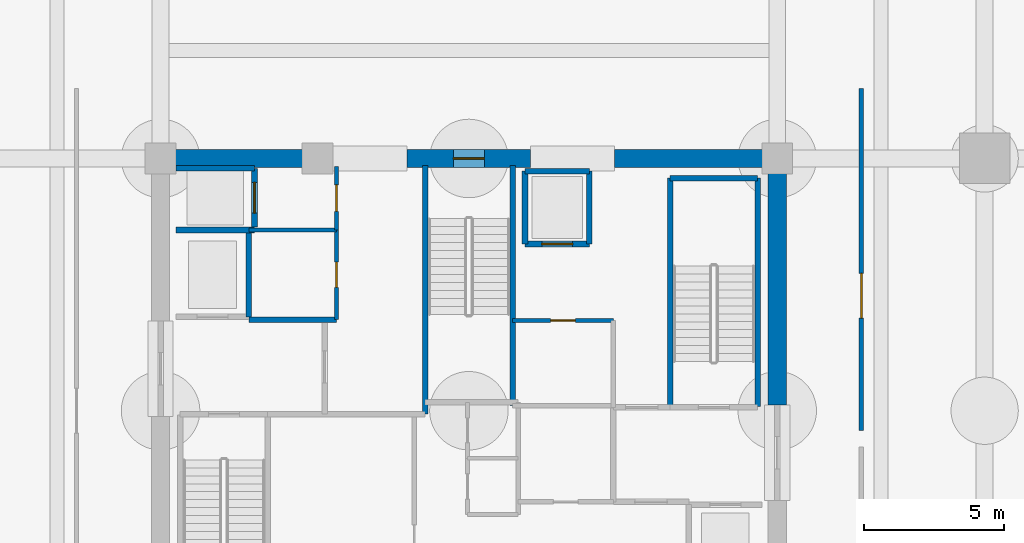
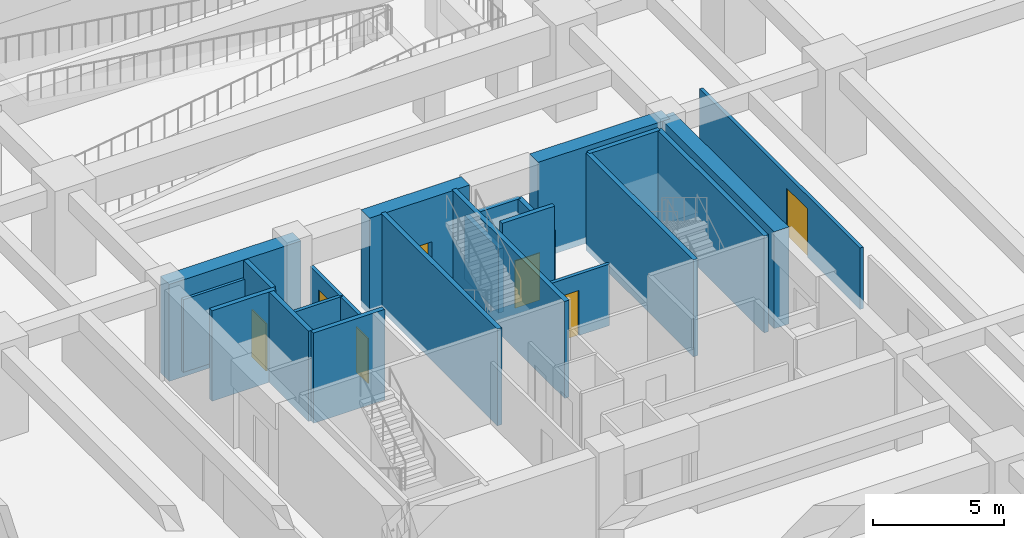
# One storey, part 10 of 17: 23 walls, 7 doors, 7 openings.
"""IFC4 building model written with IfcOpenShell, lengths in metres."""

from ifc_helpers import new_model, si_unit, direction, frame, frame_2d, origin, place, context, subcontext, project, spatial, rectangle, extrude, material, layer, layer_set, type_object, element, fill, save


model = new_model("IFC4")

# Units and contexts
model_context = context("Model", 3, precision=1e-05, world=origin(), true_north=direction((0.0, 1.0)))
body_context = subcontext(model_context, "Body", "Model", "MODEL_VIEW")
ifc_project = project(units=[si_unit("LENGTHUNIT", "METRE"), si_unit("AREAUNIT", "SQUARE_METRE"), si_unit("VOLUMEUNIT", "CUBIC_METRE"), si_unit("PLANEANGLEUNIT", "RADIAN"), si_unit("MASSUNIT", "GRAM", prefix="KILO")], contexts=[model_context])

# Site, building, storey
site_placement = place(None, origin())
site = spatial("IfcSite", under=ifc_project, at=site_placement, CompositionType="ELEMENT")
building_placement = place(site_placement, origin())
building = spatial("IfcBuilding", under=site, at=building_placement, Name="Kovane Verandah Tower", CompositionType="ELEMENT")
storey_placement = place(building_placement, frame((0.0, 0.0, -9.0)))
storey = spatial("IfcBuildingStorey", under=building, at=storey_placement, Name="B2", CompositionType="ELEMENT", Elevation=-9.0)

# Wall
ifc_material_1 = material(Name="Fire-Rated Gypsum Stud Partition", Category="gypsum")
ifc_layer_1 = layer(ifc_material_1, 0.14990234375)
ifc_layer_set_1 = layer_set([ifc_layer_1], Name="Fire-Rated Gypsum Stud Partition")
wall_type_1 = type_object("IfcWallType", Name="WL-COR-150", PredefinedType="PARTITIONING", material=ifc_layer_set_1)
wall_1_placement = place(storey_placement, frame((32.14990234375, 33.949951171875, 0.0), z_axis=(0.0, 0.0, 1.0), x_axis=(1.0, 0.0, 0.0)))
element("IfcWall", 1, at=wall_1_placement, inside=storey, type_object=wall_type_1, Name="B2 Goods Lift Lobby South Wall", PredefinedType="PARTITIONING", context=body_context, shape_type="SweptSolid", body=[
    extrude(rectangle(XDim=3.130126953125, YDim=0.14990234375, at=frame_2d((1.56494140625, 0.0))), origin(), (0.0, 0.0, 1.0), 2.85009765625),
])

# Wall, opening, door
wall_2_placement = place(storey_placement, frame((35.280029296875, 33.949951171875, 0.0), z_axis=(0.0, 0.0, 1.0), x_axis=(0.0, 1.0, 0.0)))
wall_2 = element("IfcWall", 2, at=wall_2_placement, inside=storey, type_object=wall_type_1, Name="B2 Goods Lift Lobby East Fire Partition", PredefinedType="PARTITIONING", context=body_context, shape_type="SweptSolid", body=[
    extrude(rectangle(XDim=2.27001953125, YDim=0.14990234375, at=frame_2d((1.135009765625, 0.0))), origin(), (0.0, 0.0, 1.0), 2.85009765625),
])
opening_1_placement = place(wall_2_placement, frame((0.659912109375, 0.0, 0.0)))
opening_1 = element("IfcOpeningElement", 3, at=opening_1_placement, cuts=wall_2, Name="Opening DR-B2-006", PredefinedType="OPENING", context=body_context, shape_type="SweptSolid", body=[
    extrude(rectangle(XDim=0.949951171875, YDim=2.14990234375, at=frame_2d((0.47509765625, 1.074951171875))), frame((0.0, 0.074951171875, 0.0), z_axis=(0.0, -1.0, 0.0), x_axis=(1.0, 0.0, 0.0)), (0.0, 0.0, 1.0), 0.14990234375),
])
ifc_material_2 = material(Name="Fire-Rated Steel Refuge and Lobby Door", Category="steel")
door_type_1 = type_object("IfcDoorType", Name="DR-FIRE-950", OperationType="SINGLE_SWING_LEFT", PredefinedType="DOOR", material=ifc_material_2)
door_1_placement = place(opening_1_placement, origin())
door_1 = element("IfcDoor", 4, at=door_1_placement, inside=storey, type_object=door_type_1, Name="B2 Goods Lift Lobby Fire Door", OperationType="SINGLE_SWING_RIGHT", OverallHeight=2.14990234375, OverallWidth=0.949951171875, PredefinedType="DOOR", context=body_context, shape_type="SweptSolid", body=[
    extrude(rectangle(XDim=0.949951171875, YDim=2.14990234375, at=frame_2d((0.47509765625, 1.074951171875))), frame((0.0, 0.02490234375, 0.0), z_axis=(0.0, -1.0, 0.0), x_axis=(1.0, 0.0, 0.0)), (0.0, 0.0, 1.0), 0.050048828125),
])
fill(opening_1, door_1)

wall_3_placement = place(storey_placement, frame((35.280029296875, 30.75, 0.0), z_axis=(0.0, 0.0, 1.0), x_axis=(0.0, 1.0, 0.0)))
wall_3 = element("IfcWall", 5, at=wall_3_placement, inside=storey, type_object=wall_type_1, Name="B2 Accessible Unisex Toilet Partition", PredefinedType="PARTITIONING", context=body_context, shape_type="SweptSolid", body=[
    extrude(rectangle(XDim=3.199951171875, YDim=0.14990234375, at=frame_2d((1.60009765625, 0.0))), origin(), (0.0, 0.0, 1.0), 2.85009765625),
])
opening_2_placement = place(wall_3_placement, frame((1.14990234375, 0.0, 0.0)))
opening_2 = element("IfcOpeningElement", 6, at=opening_2_placement, cuts=wall_3, Name="Opening DR-B2-020", PredefinedType="OPENING", context=body_context, shape_type="SweptSolid", body=[
    extrude(rectangle(XDim=0.89990234375, YDim=2.10009765625, at=frame_2d((0.449951171875, 1.050048828125))), frame((0.0, 0.074951171875, 0.0), z_axis=(0.0, -1.0, 0.0), x_axis=(1.0, 0.0, 0.0)), (0.0, 0.0, 1.0), 0.14990234375),
])
ifc_material_3 = material(Name="Moisture-Resistant Laminate Washroom Door", Category="wood")
door_type_2 = type_object("IfcDoorType", Name="DR-WC-900", OperationType="SINGLE_SWING_LEFT", PredefinedType="DOOR", material=ifc_material_3)
door_2_placement = place(opening_2_placement, origin())
door_2 = element("IfcDoor", 7, at=door_2_placement, inside=storey, type_object=door_type_2, Name="B2 Accessible Unisex Toilet Door", OperationType="SINGLE_SWING_LEFT", OverallHeight=2.10009765625, OverallWidth=0.89990234375, PredefinedType="DOOR", context=body_context, shape_type="SweptSolid", body=[
    extrude(rectangle(XDim=0.89990234375, YDim=2.10009765625, at=frame_2d((0.449951171875, 1.050048828125))), frame((0.0, 0.02490234375, 0.0), z_axis=(0.0, -1.0, 0.0), x_axis=(1.0, 0.0, 0.0)), (0.0, 0.0, 1.0), 0.050048828125),
])
fill(opening_2, door_2)

wall_4_placement = place(storey_placement, frame((41.56005859375, 30.719970703125, 0.0), z_axis=(0.0, 0.0, 1.0), x_axis=(1.0, 0.0, 0.0)))
wall_4 = element("IfcWall", 8, at=wall_4_placement, inside=storey, type_object=wall_type_1, Name="B2 Combined Chilled Water and Smoke Duct Room Partition", PredefinedType="PARTITIONING", context=body_context, shape_type="SweptSolid", body=[
    extrude(rectangle(XDim=3.58984375, YDim=0.14990234375, at=frame_2d((1.794921875, 0.0))), origin(), (0.0, 0.0, 1.0), 2.85009765625),
])
opening_3_placement = place(wall_4_placement, frame((1.35498046875, 0.0, 0.0)))
opening_3 = element("IfcOpeningElement", 9, at=opening_3_placement, cuts=wall_4, Name="Opening DR-B2-016", PredefinedType="OPENING", context=body_context, shape_type="SweptSolid", body=[
    extrude(rectangle(XDim=0.8798828125, YDim=2.10009765625, at=frame_2d((0.43994140625, 1.050048828125))), frame((0.0, 0.074951171875, 0.0), z_axis=(0.0, -1.0, 0.0), x_axis=(1.0, 0.0, 0.0)), (0.0, 0.0, 1.0), 0.14990234375),
])
ifc_material_4 = material(Name="Fire-Rated Steel Riser Access Door", Category="steel")
door_type_3 = type_object("IfcDoorType", Name="DR-RISER-880", OperationType="SINGLE_SWING_LEFT", PredefinedType="DOOR", material=ifc_material_4)
door_3_placement = place(opening_3_placement, origin())
door_3 = element("IfcDoor", 10, at=door_3_placement, inside=storey, type_object=door_type_3, Name="B2 Combined Chilled Water and Smoke Duct Room Door", OperationType="SINGLE_SWING_LEFT", OverallHeight=2.10009765625, OverallWidth=0.8798828125, PredefinedType="DOOR", context=body_context, shape_type="SweptSolid", body=[
    extrude(rectangle(XDim=0.8798828125, YDim=2.10009765625, at=frame_2d((0.43994140625, 1.050048828125))), frame((0.0, 0.02490234375, 0.0), z_axis=(0.0, -1.0, 0.0), x_axis=(1.0, 0.0, 0.0)), (0.0, 0.0, 1.0), 0.050048828125),
])
fill(opening_3, door_3)

wall_5_placement = place(storey_placement, frame((54.0, 26.800048828125, 0.0), z_axis=(0.0, 0.0, 1.0), x_axis=(0.0, 1.0, 0.0)))
wall_5 = element("IfcWall", 11, at=wall_5_placement, inside=storey, type_object=wall_type_1, Name="B2 Potable and Flushing Water Tank Room Corridor Partition", PredefinedType="PARTITIONING", context=body_context, shape_type="SweptSolid", body=[
    extrude(rectangle(XDim=12.199951171875, YDim=0.14990234375, at=frame_2d((6.10009765625, 0.0))), origin(), (0.0, 0.0, 1.0), 2.85009765625),
])
opening_4_placement = place(wall_5_placement, frame((4.0, 0.0, 0.0)))
opening_4 = element("IfcOpeningElement", 12, at=opening_4_placement, cuts=wall_5, Name="Opening DR-B2-017", PredefinedType="OPENING", context=body_context, shape_type="SweptSolid", body=[
    extrude(rectangle(XDim=1.60009765625, YDim=2.25, at=frame_2d((0.800048828125, 1.125))), frame((0.0, 0.074951171875, 0.0), z_axis=(0.0, -1.0, 0.0), x_axis=(1.0, 0.0, 0.0)), (0.0, 0.0, 1.0), 0.14990234375),
])
ifc_material_5 = material(Name="Louvred Acoustic Steel Double Plant Door", Category="steel")
door_type_4 = type_object("IfcDoorType", Name="DR-PLANT-1600", OperationType="DOUBLE_DOOR_SINGLE_SWING", PredefinedType="DOOR", material=ifc_material_5)
door_4_placement = place(opening_4_placement, origin())
door_4 = element("IfcDoor", 13, at=door_4_placement, inside=storey, type_object=door_type_4, Name="B2 Potable and Flushing Water Tank Room Entrance Door", OperationType="DOUBLE_DOOR_SINGLE_SWING", OverallHeight=2.25, OverallWidth=1.60009765625, PredefinedType="DOOR", context=body_context, shape_type="SweptSolid", body=[
    extrude(rectangle(XDim=1.60009765625, YDim=2.25, at=frame_2d((0.800048828125, 1.125))), frame((0.0, 0.02490234375, 0.0), z_axis=(0.0, -1.0, 0.0), x_axis=(1.0, 0.0, 0.0)), (0.0, 0.0, 1.0), 0.050048828125),
])
fill(opening_4, door_4)

# Wall
ifc_material_6 = material(Name="Concrete C80/95", Category="concrete")
ifc_layer_2 = layer(ifc_material_6, 0.64990234375)
ifc_layer_set_2 = layer_set([ifc_layer_2], Name="Concrete C80/95")
wall_type_2 = type_object("IfcWallType", Name="WL-CORE-650", PredefinedType="SHEAR", material=ifc_layer_set_2)
wall_6_placement = place(storey_placement, frame((29.0, 36.5, -0.300048828125), z_axis=(0.0, 0.0, 1.0), x_axis=(1.0, 0.0, 0.0)))
element("IfcWall", 14, at=wall_6_placement, inside=storey, type_object=wall_type_2, Name="B2 Core Shear Wall CN-1", PredefinedType="SHEAR", context=body_context, shape_type="SweptSolid", body=[
    extrude(rectangle(XDim=5.800048828125, YDim=0.64990234375, at=frame_2d((2.89990234375, 0.0))), origin(), (0.0, 0.0, 1.0), 4.5),
])

# Wall, opening, door
wall_7_placement = place(storey_placement, frame((37.800048828125, 36.5, -0.300048828125), z_axis=(0.0, 0.0, 1.0), x_axis=(1.0, 0.0, 0.0)))
wall_7 = element("IfcWall", 15, at=wall_7_placement, inside=storey, type_object=wall_type_2, Name="B2 Core Shear Wall CN-2", PredefinedType="SHEAR", context=body_context, shape_type="SweptSolid", body=[
    extrude(rectangle(XDim=4.39990234375, YDim=0.64990234375, at=frame_2d((2.199951171875, 0.0))), origin(), (0.0, 0.0, 1.0), 4.5),
])
opening_5_placement = place(wall_7_placement, frame((1.64990234375, 0.0, 0.300048828125)))
opening_5 = element("IfcOpeningElement", 16, at=opening_5_placement, cuts=wall_7, Name="Opening DR-B2-009", PredefinedType="OPENING", context=body_context, shape_type="SweptSolid", body=[
    extrude(rectangle(XDim=1.10009765625, YDim=2.14990234375, at=frame_2d((0.550048828125, 1.074951171875))), frame((0.0, 0.324951171875, 0.0), z_axis=(0.0, -1.0, 0.0), x_axis=(1.0, 0.0, 0.0)), (0.0, 0.0, 1.0), 0.64990234375),
])
ifc_material_7 = material(Name="Fire-Rated Steel Exit Door", Category="steel")
door_type_5 = type_object("IfcDoorType", Name="DR-STAIR-1100", OperationType="SINGLE_SWING_LEFT", PredefinedType="DOOR", material=ifc_material_7)
door_5_placement = place(opening_5_placement, origin())
door_5 = element("IfcDoor", 17, at=door_5_placement, inside=storey, type_object=door_type_5, Name="B2 ST-03 Fire Exit Stair Door", OperationType="SINGLE_SWING_RIGHT", OverallHeight=2.14990234375, OverallWidth=1.10009765625, PredefinedType="DOOR", context=body_context, shape_type="SweptSolid", body=[
    extrude(rectangle(XDim=1.10009765625, YDim=2.14990234375, at=frame_2d((0.550048828125, 1.074951171875))), frame((0.0, 0.02490234375, 0.0), z_axis=(0.0, -1.0, 0.0), x_axis=(1.0, 0.0, 0.0)), (0.0, 0.0, 1.0), 0.050048828125),
])
fill(opening_5, door_5)

# Walls
wall_8_placement = place(storey_placement, frame((45.199951171875, 36.5, -0.300048828125), z_axis=(0.0, 0.0, 1.0), x_axis=(1.0, 0.0, 0.0)))
element("IfcWall", 18, at=wall_8_placement, inside=storey, type_object=wall_type_2, Name="B2 Core Shear Wall CN-3", PredefinedType="SHEAR", context=body_context, shape_type="SweptSolid", body=[
    extrude(rectangle(XDim=5.800048828125, YDim=0.64990234375, at=frame_2d((2.89990234375, 0.0))), origin(), (0.0, 0.0, 1.0), 4.5),
])
wall_9_placement = place(storey_placement, frame((51.0, 27.699951171875, -0.300048828125), z_axis=(0.0, 0.0, 1.0), x_axis=(0.0, 1.0, 0.0)))
element("IfcWall", 19, at=wall_9_placement, inside=storey, type_object=wall_type_2, Name="B2 Core Shear Wall CE-2", PredefinedType="SHEAR", context=body_context, shape_type="SweptSolid", body=[
    extrude(rectangle(XDim=8.800048828125, YDim=0.64990234375, at=frame_2d((4.39990234375, 0.0))), origin(), (0.0, 0.0, 1.0), 4.5),
])
ifc_material_8 = material(Name="Concrete C45/55 Fire Wall", Category="concrete")
ifc_layer_3 = layer(ifc_material_8, 0.199951171875)
ifc_layer_set_3 = layer_set([ifc_layer_3], Name="Concrete C45/55 Fire Wall")
wall_type_3 = type_object("IfcWallType", Name="WL-FFL-200", PredefinedType="PARTITIONING", material=ifc_layer_set_3)
wall_10_placement = place(storey_placement, frame((32.14990234375, 30.75, 0.0), z_axis=(0.0, 0.0, 1.0), x_axis=(1.0, 0.0, 0.0)))
element("IfcWall", 20, at=wall_10_placement, inside=storey, type_object=wall_type_3, Name="B2 West Firefighting Lobby North Fire Wall", PredefinedType="PARTITIONING", context=body_context, shape_type="SweptSolid", body=[
    extrude(rectangle(XDim=3.130126953125, YDim=0.199951171875, at=frame_2d((1.56494140625, 0.0))), origin(), (0.0, 0.0, 1.0), 4.199951171875),
])
ifc_material_9 = material(Name="Concrete C45/55 Lift Shaft Wall", Category="concrete")
ifc_layer_4 = layer(ifc_material_9, 0.199951171875)
ifc_layer_set_4 = layer_set([ifc_layer_4], Name="Concrete C45/55 Lift Shaft Wall")
wall_type_4 = type_object("IfcWallType", Name="WL-LIFT-200", PredefinedType="SOLIDWALL", material=ifc_layer_set_4)
wall_11_placement = place(storey_placement, frame((29.550048828125, 33.949951171875, 0.0), z_axis=(0.0, 0.0, 1.0), x_axis=(1.0, 0.0, 0.0)))
element("IfcWall", 21, at=wall_11_placement, inside=storey, type_object=wall_type_4, Name="B2 Lift FL-01 and GL-01 Shared Shaft Wall", PredefinedType="SOLIDWALL", context=body_context, shape_type="SweptSolid", body=[
    extrude(rectangle(XDim=2.800048828125, YDim=0.199951171875, at=frame_2d((1.39990234375, 0.0))), origin(), (0.0, 0.0, 1.0), 4.199951171875),
])
wall_12_placement = place(storey_placement, frame((32.14990234375, 30.85009765625, 0.0), z_axis=(0.0, 0.0, 1.0), x_axis=(0.0, 1.0, 0.0)))
element("IfcWall", 22, at=wall_12_placement, inside=storey, type_object=wall_type_4, Name="B2 Lift FL-01 E Shaft Wall", PredefinedType="SOLIDWALL", context=body_context, shape_type="SweptSolid", body=[
    extrude(rectangle(XDim=3.0, YDim=0.199951171875, at=frame_2d((1.5, 0.0))), origin(), (0.0, 0.0, 1.0), 4.199951171875),
])
wall_13_placement = place(storey_placement, frame((32.35009765625, 36.14990234375, 0.0), z_axis=(0.0, 0.0, 1.0), x_axis=(-1.0, 0.0, 0.0)))
element("IfcWall", 23, at=wall_13_placement, inside=storey, type_object=wall_type_4, Name="B2 Lift GL-01 N Shaft Wall", PredefinedType="SOLIDWALL", context=body_context, shape_type="SweptSolid", body=[
    extrude(rectangle(XDim=2.800048828125, YDim=0.199951171875, at=frame_2d((1.39990234375, 0.0))), origin(), (0.0, 0.0, 1.0), 3.3798828125),
])

# Wall, opening, door
wall_14_placement = place(storey_placement, frame((32.35009765625, 34.050048828125, 0.0), z_axis=(0.0, 0.0, 1.0), x_axis=(0.0, 1.0, 0.0)))
wall_14 = element("IfcWall", 24, at=wall_14_placement, inside=storey, type_object=wall_type_4, Name="B2 Lift GL-01 E Shaft Wall", PredefinedType="SOLIDWALL", context=body_context, shape_type="SweptSolid", body=[
    extrude(rectangle(XDim=2.099853515625, YDim=0.199951171875, at=frame_2d((1.0498046875, 0.0))), origin(), (0.0, 0.0, 1.0), 4.199951171875),
])
opening_6_placement = place(wall_14_placement, frame((0.5, 0.0, 0.0)))
opening_6 = element("IfcOpeningElement", 25, at=opening_6_placement, cuts=wall_14, Name="Opening LD-B2-003", PredefinedType="OPENING", context=body_context, shape_type="SweptSolid", body=[
    extrude(rectangle(XDim=1.10009765625, YDim=2.199951171875, at=frame_2d((0.550048828125, 1.10009765625))), frame((0.0, 0.10009765625, 0.0), z_axis=(0.0, -1.0, 0.0), x_axis=(1.0, 0.0, 0.0)), (0.0, 0.0, 1.0), 0.199951171875),
])
ifc_material_10 = material(Name="Brushed Stainless Steel Sliding Lift Landing Door", Category="steel")
door_type_6 = type_object("IfcDoorType", Name="DR-LIFT-1100", OperationType="SLIDING_TO_RIGHT", PredefinedType="DOOR", material=ifc_material_10)
door_6_placement = place(opening_6_placement, origin())
door_6 = element("IfcDoor", 26, at=door_6_placement, inside=storey, type_object=door_type_6, Name="B2 Lift GL-01 Sliding Landing Door", OperationType="SLIDING_TO_RIGHT", OverallHeight=2.199951171875, OverallWidth=1.10009765625, PredefinedType="DOOR", context=body_context, shape_type="SweptSolid", body=[
    extrude(rectangle(XDim=1.10009765625, YDim=2.199951171875, at=frame_2d((0.550048828125, 1.10009765625))), frame((0.0, 0.02490234375, 0.0), z_axis=(0.0, -1.0, 0.0), x_axis=(1.0, 0.0, 0.0)), (0.0, 0.0, 1.0), 0.050048828125),
])
fill(opening_6, door_6)

wall_15_placement = place(storey_placement, frame((42.0, 33.449951171875, 0.0), z_axis=(0.0, 0.0, 1.0), x_axis=(1.0, 0.0, 0.0)))
wall_15 = element("IfcWall", 27, at=wall_15_placement, inside=storey, type_object=wall_type_4, Name="B2 Lift SL-01 S Shaft Wall", PredefinedType="SOLIDWALL", context=body_context, shape_type="SweptSolid", body=[
    extrude(rectangle(XDim=2.300048828125, YDim=0.199951171875, at=frame_2d((1.14990234375, 0.0))), origin(), (0.0, 0.0, 1.0), 4.199951171875),
])
opening_7_placement = place(wall_15_placement, frame((0.60009765625, 0.0, 0.0)))
opening_7 = element("IfcOpeningElement", 28, at=opening_7_placement, cuts=wall_15, Name="Opening LD-B2-004", PredefinedType="OPENING", context=body_context, shape_type="SweptSolid", body=[
    extrude(rectangle(XDim=1.10009765625, YDim=2.199951171875, at=frame_2d((0.550048828125, 1.10009765625))), frame((0.0, 0.10009765625, 0.0), z_axis=(0.0, -1.0, 0.0), x_axis=(1.0, 0.0, 0.0)), (0.0, 0.0, 1.0), 0.199951171875),
])
door_7_placement = place(opening_7_placement, origin())
door_7 = element("IfcDoor", 29, at=door_7_placement, inside=storey, type_object=door_type_6, Name="B2 Lift SL-01 Sliding Landing Door", OperationType="SLIDING_TO_RIGHT", OverallHeight=2.199951171875, OverallWidth=1.10009765625, PredefinedType="DOOR", context=body_context, shape_type="SweptSolid", body=[
    extrude(rectangle(XDim=1.10009765625, YDim=2.199951171875, at=frame_2d((0.550048828125, 1.10009765625))), frame((0.0, 0.02490234375, 0.0), z_axis=(0.0, -1.0, 0.0), x_axis=(1.0, 0.0, 0.0)), (0.0, 0.0, 1.0), 0.050048828125),
])
fill(opening_7, door_7)

# Walls
wall_16_placement = place(storey_placement, frame((44.300048828125, 36.050048828125, 0.0), z_axis=(0.0, 0.0, 1.0), x_axis=(-1.0, 0.0, 0.0)))
element("IfcWall", 30, at=wall_16_placement, inside=storey, type_object=wall_type_4, Name="B2 Lift SL-01 N Shaft Wall", PredefinedType="SOLIDWALL", context=body_context, shape_type="SweptSolid", body=[
    extrude(rectangle(XDim=2.300048828125, YDim=0.199951171875, at=frame_2d((1.14990234375, 0.0))), origin(), (0.0, 0.0, 1.0), 2.97998046875),
])
for number, where, z_axis, x_axis, name in (
    (31, (42.0, 36.050048828125, 0.0), (0.0, 0.0, 1.0), (0.0, -1.0, 0.0), "B2 Lift SL-01 W Shaft Wall"),
    (32, (44.300048828125, 33.449951171875, 0.0), (0.0, 0.0, 1.0), (0.0, 1.0, 0.0), "B2 Lift SL-01 E Shaft Wall"),
):
    element("IfcWall", number, at=place(storey_placement, frame(where, z_axis=z_axis, x_axis=x_axis)), inside=storey, type_object=wall_type_4, Name=name, PredefinedType="SOLIDWALL", context=body_context, shape_type="SweptSolid", body=[
        extrude(rectangle(XDim=2.60009765625, YDim=0.199951171875, at=frame_2d((1.300048828125, 0.0))), origin(), (0.0, 0.0, 1.0), 2.97998046875),
    ])
ifc_material_11 = material(Name="Concrete C45/55", Category="concrete")
ifc_layer_5 = layer(ifc_material_11, 0.199951171875)
ifc_layer_set_5 = layer_set([ifc_layer_5], Name="Concrete C45/55")
wall_type_5 = type_object("IfcWallType", Name="WL-SHAFT-200", PredefinedType="SOLIDWALL", material=ifc_layer_set_5)
wall_17_placement = place(storey_placement, frame((50.300048828125, 27.64990234375, -0.300048828125), z_axis=(0.0, 0.0, 1.0), x_axis=(0.0, 1.0, 0.0)))
element("IfcWall", 33, at=wall_17_placement, inside=storey, type_object=wall_type_5, Name="W-B2-ST02-E", PredefinedType="SOLIDWALL", context=body_context, shape_type="SweptSolid", body=[
    extrude(rectangle(XDim=8.150146484375, YDim=0.199951171875, at=frame_2d((4.0751953125, 0.0))), origin(), (0.0, 0.0, 1.0), 4.5),
])
wall_18_placement = place(storey_placement, frame((47.179931640625, 35.800048828125, -0.300048828125), z_axis=(0.0, 0.0, 1.0), x_axis=(1.0, 0.0, 0.0)))
element("IfcWall", 34, at=wall_18_placement, inside=storey, type_object=wall_type_5, Name="W-B2-ST02-N", PredefinedType="SOLIDWALL", context=body_context, shape_type="SweptSolid", body=[
    extrude(rectangle(XDim=3.1201171875, YDim=0.199951171875, at=frame_2d((1.56005859375, 0.0))), origin(), (0.0, 0.0, 1.0), 4.5),
])
wall_19_placement = place(storey_placement, frame((47.179931640625, 27.6201171875, -0.300048828125), z_axis=(0.0, 0.0, 1.0), x_axis=(0.0, 1.0, 0.0)))
element("IfcWall", 35, at=wall_19_placement, inside=storey, type_object=wall_type_5, Name="W-B2-ST02-W", PredefinedType="SOLIDWALL", context=body_context, shape_type="SweptSolid", body=[
    extrude(rectangle(XDim=8.179931640625, YDim=0.199951171875, at=frame_2d((4.08984375, 0.0))), origin(), (0.0, 0.0, 1.0), 4.5),
])
wall_20_placement = place(storey_placement, frame((38.43994140625, 27.3798828125, -0.300048828125), z_axis=(0.0, 0.0, 1.0), x_axis=(0.0, 1.0, 0.0)))
element("IfcWall", 36, at=wall_20_placement, inside=storey, type_object=wall_type_5, Name="W-B2-ST03-W", PredefinedType="SOLIDWALL", context=body_context, shape_type="SweptSolid", body=[
    extrude(rectangle(XDim=8.8701171875, YDim=0.199951171875, at=frame_2d((4.43505859375, 0.0))), origin(), (0.0, 0.0, 1.0), 4.5),
])
wall_21_placement = place(storey_placement, frame((41.56005859375, 27.679931640625, -0.300048828125), z_axis=(0.0, 0.0, 1.0), x_axis=(0.0, 1.0, 0.0)))
element("IfcWall", 37, at=wall_21_placement, inside=storey, type_object=wall_type_5, Name="W-B2-ST03-E", PredefinedType="SOLIDWALL", context=body_context, shape_type="SweptSolid", body=[
    extrude(rectangle(XDim=8.570068359375, YDim=0.199951171875, at=frame_2d((4.28515625, 0.0))), origin(), (0.0, 0.0, 1.0), 4.5),
])

save(model, "model.ifc")
